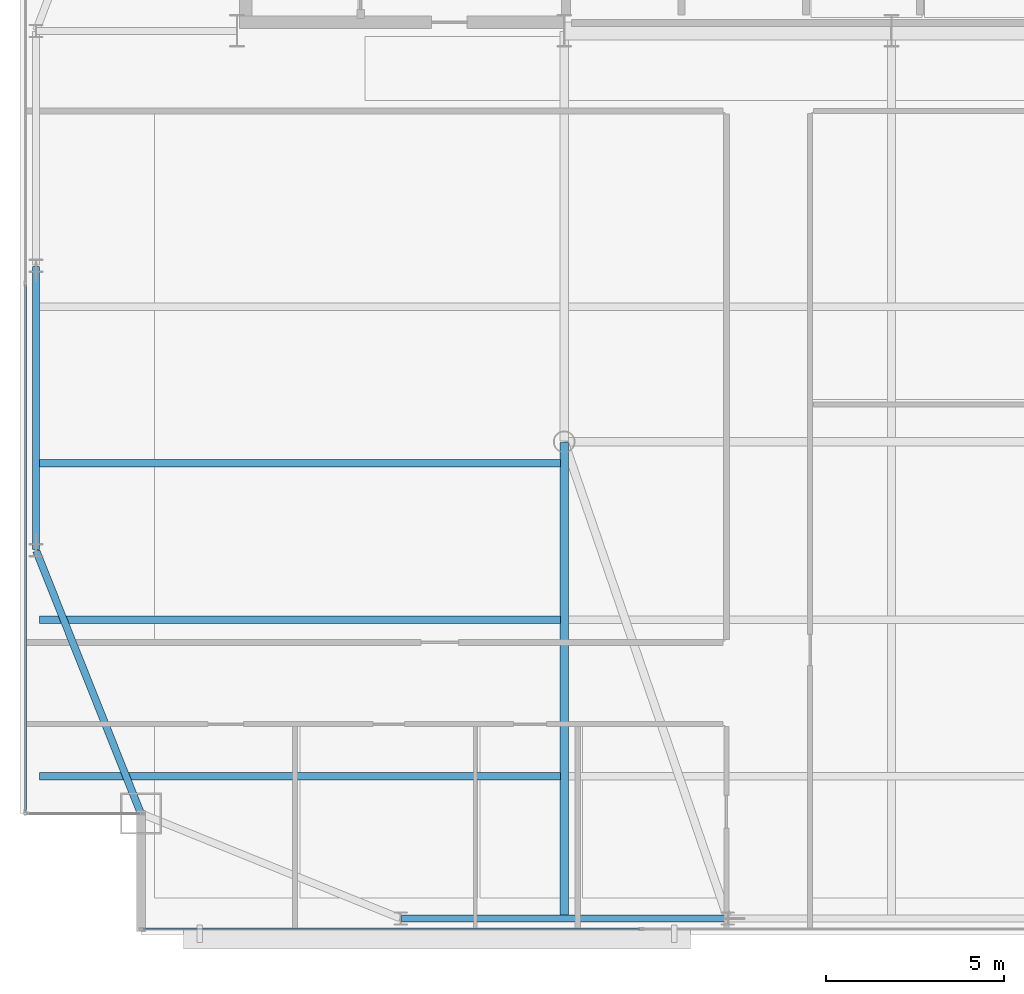
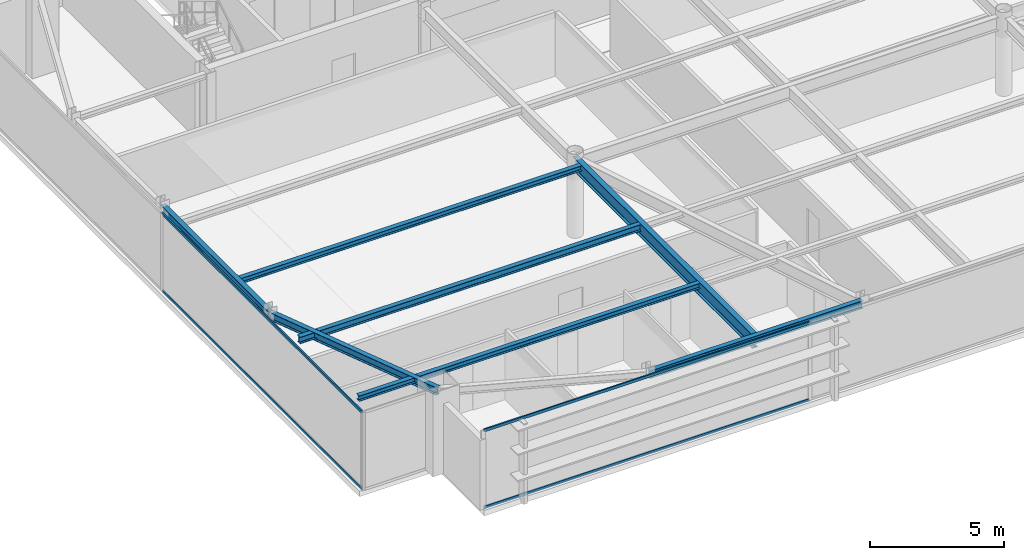
# One storey, part 5 of 25: 7 beams, 4 members, 2 elements without a shape of their own.
"""IFC4 building model written with IfcOpenShell, lengths in metres."""

from ifc_helpers import new_model, si_unit, direction, frame, origin, origin_2d, place, context, subcontext, project, spatial, hollow_rectangle, i_section, extrude, source, transform, mapped, material, layer, layer_set, material_profile, profile_set, type_object, type_shapes, element, aggregate, save


model = new_model("IFC4")

# Units and contexts
model_context = context("Model", 3, precision=1e-05, world=origin(), true_north=direction((0.0, 1.0)))
body_context = subcontext(model_context, "Body", "Model", "MODEL_VIEW")
ifc_project = project(units=[si_unit("LENGTHUNIT", "METRE"), si_unit("AREAUNIT", "SQUARE_METRE"), si_unit("VOLUMEUNIT", "CUBIC_METRE"), si_unit("PLANEANGLEUNIT", "RADIAN"), si_unit("MASSUNIT", "GRAM", prefix="KILO")], contexts=[model_context])

# Site, building, storey
site_placement = place(None, origin())
site = spatial("IfcSite", under=ifc_project, at=site_placement, CompositionType="ELEMENT")
building_placement = place(site_placement, origin())
building = spatial("IfcBuilding", under=site, at=building_placement, Name="Varnel Quay Broadcast Tower", CompositionType="ELEMENT")
storey_placement = place(building_placement, frame((0.0, 0.0, 250.800048828125)))
storey = spatial("IfcBuildingStorey", under=building, at=storey_placement, Name="L62", CompositionType="ELEMENT", Elevation=250.800048828125)

# Beams
ifc_material_1 = material(Name="Structural Steel CSA G40.21 350W", Category="steel")
ifc_material_profile_1 = material_profile(ifc_material_1, i_section(OverallWidth=0.205078125, OverallDepth=0.35400390625, WebThickness=0.009521484375, FlangeThickness=0.016845703125, FilletRadius=0.012939453125, at=origin_2d()), Name="W360X79")
ifc_profile_set_1 = profile_set([ifc_material_profile_1], Name="Structural Steel CSA G40.21 350W")
beam_type_1 = type_object("IfcBeamType", Name="Beam_W360X79", PredefinedType="SPANDREL", material=ifc_profile_set_1)
shared_shape_1 = source(origin(), body_context, "Body", "SweptSolid", [
    extrude(i_section(OverallWidth=0.205078125, OverallDepth=0.35400390625, WebThickness=0.009521484375, FlangeThickness=0.016845703125, FilletRadius=0.012939453125, at=origin_2d()), origin(), (0.0, 0.0, 1.0), 9.159912109375),
])
beam_1_placement = place(storey_placement, frame((20.219970703125, 10.64990234375, 3.373046875), z_axis=(1.0, 0.0, 0.0), x_axis=(0.0, 1.0, 0.0)))
element("IfcBeam", 1, at=beam_1_placement, inside=storey, type_object=beam_type_1, Name="L62 South Spandrel TC-S1-TC-S2", PredefinedType="SPANDREL", context=body_context, shape_type="MappedRepresentation", body=[
    mapped(shared_shape_1, transform((0.0, 0.0, 0.0), x_axis=(1.0, 0.0, 0.0), y_axis=(0.0, 1.0, 0.0), z_axis=(0.0, 0.0, 1.0), scale=1.0)),
])
shared_shape_2 = source(origin(), body_context, "Body", "SweptSolid", [
    extrude(i_section(OverallWidth=0.205078125, OverallDepth=0.35400390625, WebThickness=0.009521484375, FlangeThickness=0.016845703125, FilletRadius=0.012939453125, at=origin_2d()), origin(), (0.0, 0.0, 1.0), 7.92626953125),
])
beam_2_placement = place(storey_placement, frame((12.892578125, 13.61865234375, 3.373046875), z_axis=(-0.370296431883, 0.928913641053, 0.0), x_axis=(-0.928913641053, -0.370296431883, 0.0)))
element("IfcBeam", 2, at=beam_2_placement, inside=storey, type_object=beam_type_1, Name="L62 West Spandrel MC-SW-TC-W1", PredefinedType="SPANDREL", context=body_context, shape_type="MappedRepresentation", body=[
    mapped(shared_shape_2, transform((0.0, 0.0, 0.0), x_axis=(1.0, 0.0, 0.0), y_axis=(0.0, 1.0, 0.0), z_axis=(0.0, 0.0, 1.0), scale=1.0)),
])
shared_shape_3 = source(origin(), body_context, "Body", "SweptSolid", [
    extrude(i_section(OverallWidth=0.205078125, OverallDepth=0.35400390625, WebThickness=0.009521484375, FlangeThickness=0.016845703125, FilletRadius=0.012939453125, at=origin_2d()), origin(), (0.0, 0.0, 1.0), 7.9599609375),
])
type_shapes(beam_type_1, [shared_shape_1, shared_shape_2, shared_shape_3])
beam_3_placement = place(storey_placement, frame((9.949951171875, 21.02001953125, 3.373046875), z_axis=(0.0, 1.0, 0.0), x_axis=(-1.0, 0.0, 0.0)))
element("IfcBeam", 3, at=beam_3_placement, inside=storey, type_object=beam_type_1, Name="L62 West Spandrel TC-W1-TC-W2", PredefinedType="SPANDREL", context=body_context, shape_type="MappedRepresentation", body=[
    mapped(shared_shape_3, transform((0.0, 0.0, 0.0), x_axis=(1.0, 0.0, 0.0), y_axis=(0.0, 1.0, 0.0), z_axis=(0.0, 0.0, 1.0), scale=1.0)),
])
ifc_material_profile_2 = material_profile(ifc_material_1, i_section(OverallWidth=0.22998046875, OverallDepth=0.616943359375, WebThickness=0.01318359375, FlangeThickness=0.022216796875, FilletRadius=0.01611328125, at=origin_2d()), Name="W610X140")
ifc_profile_set_2 = profile_set([ifc_material_profile_2], Name="Structural Steel CSA G40.21 350W")
beam_type_2 = type_object("IfcBeamType", Name="Girder_W610X140", PredefinedType="BEAM", material=ifc_profile_set_2)
shared_shape_4 = source(origin(), body_context, "Body", "SweptSolid", [
    extrude(i_section(OverallWidth=0.22998046875, OverallDepth=0.616943359375, WebThickness=0.01318359375, FlangeThickness=0.022216796875, FilletRadius=0.01611328125, at=origin_2d()), origin(), (0.0, 0.0, 1.0), 13.360107421875),
])
type_shapes(beam_type_2, [shared_shape_4])
beam_4_placement = place(storey_placement, frame((24.800048828125, 10.669921875, 3.241455078125), z_axis=(0.0, 1.0, 0.0), x_axis=(-1.0, 0.0, 0.0)))
element("IfcBeam", 4, at=beam_4_placement, inside=storey, type_object=beam_type_2, Name="L62 N-S Joist Header IC-01S", PredefinedType="BEAM", context=body_context, shape_type="MappedRepresentation", body=[
    mapped(shared_shape_4, transform((0.0, 0.0, 0.0), x_axis=(1.0, 0.0, 0.0), y_axis=(0.0, 1.0, 0.0), z_axis=(0.0, 0.0, 1.0), scale=1.0)),
])
ifc_material_profile_3 = material_profile(ifc_material_1, i_section(OverallWidth=0.201904296875, OverallDepth=0.2470703125, WebThickness=0.00732421875, FlangeThickness=0.010986328125, FilletRadius=0.010986328125, at=origin_2d()), Name="W250X49")
ifc_profile_set_3 = profile_set([ifc_material_profile_3], Name="Structural Steel CSA G40.21 350W")
beam_type_3 = type_object("IfcBeamType", Name="Beam_W250X49", PredefinedType="JOIST", material=ifc_profile_set_3)
shared_shape_5 = source(origin(), body_context, "Body", "SweptSolid", [
    extrude(i_section(OverallWidth=0.201904296875, OverallDepth=0.2470703125, WebThickness=0.00732421875, FlangeThickness=0.010986328125, FilletRadius=0.010986328125, at=origin_2d()), origin(), (0.0, 0.0, 1.0), 14.642333984375),
])
type_shapes(beam_type_3, [shared_shape_5])
for number, where, z_axis, x_axis, name in (
    (5, (10.047607421875, 14.64990234375, 3.426513671875), (1.0, 0.0, 0.0), (0.0, 1.0, 0.0), "L62 West Floor Joist 1"),
    (6, (10.047607421875, 23.449951171875, 3.426513671875), (1.0, 0.0, 0.0), (0.0, 1.0, 0.0), "L62 West Floor Joist 3"),
):
    element("IfcBeam", number, at=place(storey_placement, frame(where, z_axis=z_axis, x_axis=x_axis)), inside=storey, type_object=beam_type_3, Name=name, PredefinedType="JOIST", context=body_context, shape_type="MappedRepresentation", body=[
        mapped(shared_shape_5, transform((0.0, 0.0, 0.0), x_axis=(1.0, 0.0, 0.0), y_axis=(0.0, 1.0, 0.0), z_axis=(0.0, 0.0, 1.0), scale=1.0)),
    ])
ifc_material_profile_4 = material_profile(ifc_material_1, i_section(OverallWidth=0.202880859375, OverallDepth=0.302978515625, WebThickness=0.007568359375, FlangeThickness=0.01318359375, FilletRadius=0.011962890625, at=origin_2d()), Name="W310X60")
ifc_profile_set_4 = profile_set([ifc_material_profile_4], Name="Structural Steel CSA G40.21 350W")
beam_type_4 = type_object("IfcBeamType", Name="Beam_W310X60", PredefinedType="JOIST", material=ifc_profile_set_4)
shared_shape_6 = source(origin(), body_context, "Body", "SweptSolid", [
    extrude(i_section(OverallWidth=0.202880859375, OverallDepth=0.302978515625, WebThickness=0.007568359375, FlangeThickness=0.01318359375, FilletRadius=0.011962890625, at=origin_2d()), origin(), (0.0, 0.0, 1.0), 14.642333984375),
])
type_shapes(beam_type_4, [shared_shape_6])
beam_5_placement = place(storey_placement, frame((10.047607421875, 19.050048828125, 3.3984375), z_axis=(1.0, 0.0, 0.0), x_axis=(0.0, 1.0, 0.0)))
element("IfcBeam", 7, at=beam_5_placement, inside=storey, type_object=beam_type_4, Name="L62 West Floor Joist 2", PredefinedType="JOIST", context=body_context, shape_type="MappedRepresentation", body=[
    mapped(shared_shape_6, transform((0.0, 0.0, 0.0), x_axis=(1.0, 0.0, 0.0), y_axis=(0.0, 1.0, 0.0), z_axis=(0.0, 0.0, 1.0), scale=1.0)),
])

# Curtain wall, members
ifc_material_2 = material(Name="Anodised Bronze Aluminium 6063-T6", Category="aluminium")
ifc_layer = layer(ifc_material_2, 0.18994140625, Name="Anodised Bronze Aluminium 6063-T6")
ifc_layer_set = layer_set([ifc_layer], Name="Anodised Bronze Aluminium 6063-T6")
curtain_wall_type = type_object("IfcCurtainWallType", Name="CW_UpperTower", PredefinedType="NOTDEFINED", material=ifc_layer_set)
curtain_wall_1_placement = place(storey_placement, origin())
curtain_wall_1 = element("IfcCurtainWall", 8, at=curtain_wall_1_placement, inside=storey, type_object=curtain_wall_type, Name="L62 West Unitised Curtain Wall", PredefinedType="NOTDEFINED")
ifc_material_profile_5 = material_profile(ifc_material_2, hollow_rectangle(XDim=0.06005859375, YDim=0.125, WallThickness=0.0029296875, at=origin_2d()), Name="ALU60X125X3")
ifc_profile_set_5 = profile_set([ifc_material_profile_5], Name="Anodised Bronze Aluminium 6063-T6")
member_type = type_object("IfcMemberType", Name="Tran_CWS-03", PredefinedType="USERDEFINED", material=ifc_profile_set_5)
shared_shape_7 = source(origin(), body_context, "Body", "SweptSolid", [
    extrude(hollow_rectangle(XDim=0.06005859375, YDim=0.125, WallThickness=0.0029296875, at=origin_2d()), origin(), (0.0, 0.0, 1.0), 14.802490234375),
])
member_1_placement = place(storey_placement, frame((9.64990234375, 13.6650390625, 0.030029296875), z_axis=(0.0, 1.0, 0.0), x_axis=(-1.0, 0.0, 0.0)))
member_1 = element("IfcMember", 9, at=member_1_placement, type_object=member_type, Name="CWS-03 transom 1.1", ObjectType="TRANSOM", PredefinedType="USERDEFINED", context=body_context, shape_type="MappedRepresentation", body=[
    mapped(shared_shape_7, transform((0.0, 0.0, 0.0), x_axis=(1.0, 0.0, 0.0), y_axis=(0.0, 1.0, 0.0), z_axis=(0.0, 0.0, 1.0), scale=1.0)),
])
member_2_placement = place(storey_placement, frame((9.64990234375, 13.6650390625, 3.52001953125), z_axis=(0.0, 1.0, 0.0), x_axis=(-1.0, 0.0, 0.0)))
member_2 = element("IfcMember", 10, at=member_2_placement, type_object=member_type, Name="CWS-03 transom 1.2", ObjectType="TRANSOM", PredefinedType="USERDEFINED", context=body_context, shape_type="MappedRepresentation", body=[
    mapped(shared_shape_7, transform((0.0, 0.0, 0.0), x_axis=(1.0, 0.0, 0.0), y_axis=(0.0, 1.0, 0.0), z_axis=(0.0, 0.0, 1.0), scale=1.0)),
])
aggregate(curtain_wall_1, [member_1, member_2])

curtain_wall_2_placement = place(storey_placement, origin())
curtain_wall_2 = element("IfcCurtainWall", 11, at=curtain_wall_2_placement, inside=storey, type_object=curtain_wall_type, Name="L62 South Unitised Curtain Wall 1", PredefinedType="NOTDEFINED")
shared_shape_8 = source(origin(), body_context, "Body", "SweptSolid", [
    extrude(hollow_rectangle(XDim=0.06005859375, YDim=0.125, WallThickness=0.0029296875, at=origin_2d()), origin(), (0.0, 0.0, 1.0), 13.968994140625),
])
type_shapes(member_type, [shared_shape_7, shared_shape_8])
member_3_placement = place(storey_placement, frame((12.965087890625, 10.35009765625, 0.030029296875), z_axis=(1.0, 0.0, 0.0), x_axis=(0.0, 1.0, 0.0)))
member_3 = element("IfcMember", 12, at=member_3_placement, type_object=member_type, Name="CWS-03 transom 1.1", ObjectType="TRANSOM", PredefinedType="USERDEFINED", context=body_context, shape_type="MappedRepresentation", body=[
    mapped(shared_shape_8, transform((0.0, 0.0, 0.0), x_axis=(1.0, 0.0, 0.0), y_axis=(0.0, 1.0, 0.0), z_axis=(0.0, 0.0, 1.0), scale=1.0)),
])
member_4_placement = place(storey_placement, frame((12.965087890625, 10.35009765625, 3.52001953125), z_axis=(1.0, 0.0, 0.0), x_axis=(0.0, 1.0, 0.0)))
member_4 = element("IfcMember", 13, at=member_4_placement, type_object=member_type, Name="CWS-03 transom 1.2", ObjectType="TRANSOM", PredefinedType="USERDEFINED", context=body_context, shape_type="MappedRepresentation", body=[
    mapped(shared_shape_8, transform((0.0, 0.0, 0.0), x_axis=(1.0, 0.0, 0.0), y_axis=(0.0, 1.0, 0.0), z_axis=(0.0, 0.0, 1.0), scale=1.0)),
])
aggregate(curtain_wall_2, [member_3, member_4])

save(model, "model.ifc")
